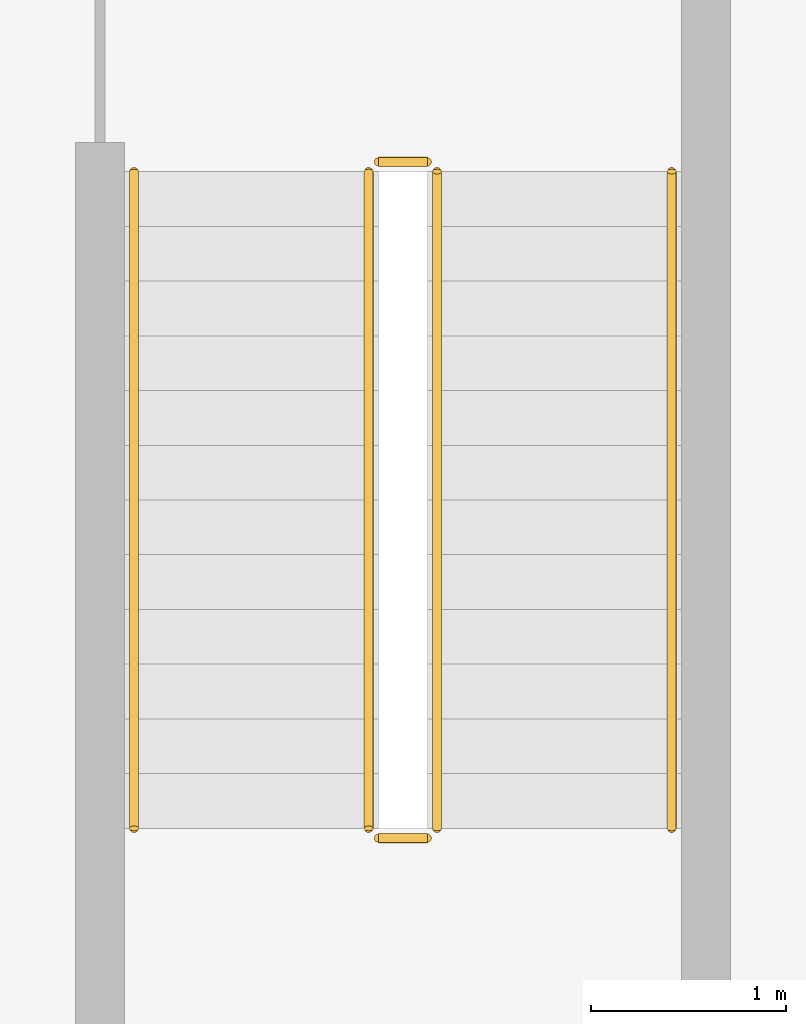
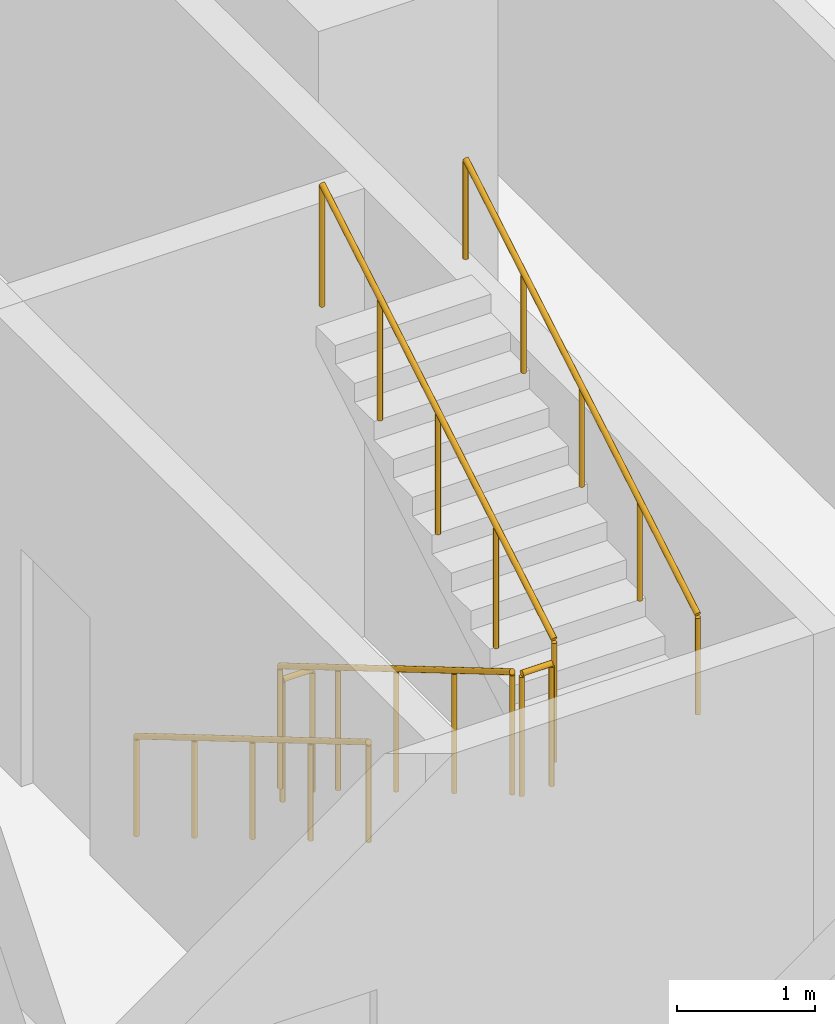
# One storey, part 24 of 29: 6 railings.
"""IFC4 building model written with IfcOpenShell, lengths in metres."""

import ifcopenshell
import ifcopenshell.guid

model = None  # the IFC model being written
_history = None  # IfcOwnerHistory: only IFC2X3 demands one
_inside = {}  # id of a spatial element -> (the spatial element, [elements in it])
_under = {}  # id of a project, library or spatial element -> (it, [spatial elements below it])
_declared = {}  # id of a project -> (the project, [libraries it declares])
_typed = {}  # id of a type object -> (the type object, [elements of that type])
_made_of = {}  # id of a material, layer set ... -> (it, [elements and type objects made of it])


def new_model(schema):
    """Start an empty IFC model of exactly this schema.

    Asked for "IFC4X3", IfcOpenShell would pick the latest addendum, in which some entities
    have other attributes; the version numbers below select the first issue.
    IFC2X3 requires an IfcOwnerHistory on every rooted entity: one is made here for all.
    """
    global model, _history
    if schema == "IFC4X3":
        model = ifcopenshell.file(schema_version=(4, 3, 0, 0))
    else:
        model = ifcopenshell.file(schema=schema)
    _inside.clear()
    _under.clear()
    _declared.clear()
    _typed.clear()
    _made_of.clear()
    _history = None
    if model.schema == "IFC2X3":
        org = make("IfcOrganization", Name="unknown")
        user = make(
            "IfcPersonAndOrganization",
            ThePerson=make("IfcPerson", FamilyName="unknown"),
            TheOrganization=org,
        )
        app = make(
            "IfcApplication",
            ApplicationDeveloper=org,
            Version="unknown",
            ApplicationFullName="unknown",
            ApplicationIdentifier="unknown",
        )
        _history = make(
            "IfcOwnerHistory",
            OwningUser=user,
            OwningApplication=app,
            ChangeAction="ADDED",
            CreationDate=0,
        )
    return model


def make(cls, **values):
    """One entity of the class cls with the attributes given. An attribute that is None is left unset."""
    return model.create_entity(
        cls, **{name: value for name, value in values.items() if value is not None}
    )


def rooted(cls, **values):
    """An entity with a GlobalId (a new one), such as an element, a storey or a relation."""
    return make(cls, GlobalId=ifcopenshell.guid.new(), OwnerHistory=_history, **values)


def si_unit(unit_type, name, prefix=None):
    """IfcSIUnit, for example si_unit("LENGTHUNIT", "METRE", prefix="MILLI")."""
    return make("IfcSIUnit", UnitType=unit_type, Prefix=prefix, Name=name)


def assignment(units):
    """IfcUnitAssignment: the units of a project."""
    return None if units is None else make("IfcUnitAssignment", Units=units)


def point(xyz):
    """IfcCartesianPoint."""
    return None if xyz is None else make("IfcCartesianPoint", Coordinates=xyz)


def direction(xyz):
    """IfcDirection."""
    return None if xyz is None else make("IfcDirection", DirectionRatios=xyz)


def frame(location, z_axis=None, x_axis=None):
    """IfcAxis2Placement3D, a coordinate frame: its origin and axes. An axis left out is left unset."""
    return make(
        "IfcAxis2Placement3D",
        Location=point(location),
        Axis=direction(z_axis),
        RefDirection=direction(x_axis),
    )


def frame_2d(location, x_axis=None):
    """IfcAxis2Placement2D, a coordinate frame in the plane: its origin and x axis."""
    return make(
        "IfcAxis2Placement2D", Location=point(location), RefDirection=direction(x_axis)
    )


def origin():
    """The frame at (0, 0, 0) with its axes left unset."""
    return frame((0.0, 0.0, 0.0))


def origin_2d():
    """The frame at (0, 0) in the plane with its x axis left unset."""
    return frame_2d((0.0, 0.0))


def place(relative_to, where):
    """IfcLocalPlacement: puts the frame where relative to a parent placement (None: the world)."""
    return make(
        "IfcLocalPlacement", PlacementRelTo=relative_to, RelativePlacement=where
    )


def context(
    kind, dimensions, precision=None, world=None, true_north=None, identifier=None
):
    """IfcGeometricRepresentationContext, for example the 3D "Model" context."""
    return make(
        "IfcGeometricRepresentationContext",
        ContextIdentifier=identifier,
        ContextType=kind,
        CoordinateSpaceDimension=dimensions,
        Precision=precision,
        WorldCoordinateSystem=world,
        TrueNorth=true_north,
    )


def subcontext(parent, identifier, kind, view, scale=None):
    """IfcGeometricRepresentationSubContext, for example "Body" below "Model"."""
    return make(
        "IfcGeometricRepresentationSubContext",
        ContextIdentifier=identifier,
        ContextType=kind,
        ParentContext=parent,
        TargetScale=scale,
        TargetView=view,
    )


def project(units=None, contexts=None):
    """IfcProject with its units and contexts."""
    return rooted(
        "IfcProject",
        Name="project",
        RepresentationContexts=contexts,
        UnitsInContext=assignment(units),
    )


def spatial(cls, under=None, at=None, **own):
    """A site, building, storey or space (cls), placed at a placement, below another one or the project."""
    s = rooted(cls, ObjectPlacement=at, **own)
    if under is not None:
        _under.setdefault(under.id(), (under, []))[1].append(s)
    return s


def profile(cls, at=None, kind="AREA", **sizes):
    """A parametric profile (cls). Its sizes go by their IFC names, for example OverallWidth=200.0."""
    return make(cls, ProfileType=kind, Position=at, **sizes)


def circle(**sizes):
    """IfcCircleProfileDef."""
    return profile("IfcCircleProfileDef", **sizes)


def extrude(swept, where, along, depth):
    """IfcExtrudedAreaSolid: the profile swept, set in the frame where, extruded along a direction by depth."""
    return make(
        "IfcExtrudedAreaSolid",
        SweptArea=swept,
        Position=where,
        ExtrudedDirection=direction(along),
        Depth=depth,
    )


def shape(context_of_items, identifier, shape_type, items):
    """IfcShapeRepresentation: the items that make up one representation, for example the "Body"."""
    return make(
        "IfcShapeRepresentation",
        ContextOfItems=context_of_items,
        RepresentationIdentifier=identifier,
        RepresentationType=shape_type,
        Items=items,
    )


def material(Name=None, Category=None):
    """IfcMaterial."""
    return make("IfcMaterial", Name=Name, Category=Category)


def made_of(thing, what):
    """Note that an element or type object is made of a material, layer set ...; save() writes the relation."""
    if what is not None:
        _made_of.setdefault(what.id(), (what, []))[1].append(thing)
    return thing


def type_object(cls, material=None, **own):
    """A type object (cls), such as IfcWallType, which elements share."""
    return made_of(rooted(cls, **own), material)


def element(
    cls,
    number,
    at=None,
    inside=None,
    cuts=None,
    type_object=None,
    material=None,
    context=None,
    identifier="Body",
    shape_type=None,
    held_by="IfcProductDefinitionShape",
    body=None,
    shapes=None,
    **own,
):
    """One element of the class cls, such as IfcWall. Its Tag is "e" and its number.

    at: its placement. inside: the storey or other place that contains it. cuts: it is an
    opening in that element (IfcRelVoidsElement). A single representation is given by context,
    identifier, shape_type and body (its items); several are given by shapes. held_by: the class
    of the entity that holds the representations. save() writes the other relations.
    """
    e = rooted(cls, Tag="e%d" % number, ObjectPlacement=at, **own)
    if body is not None:
        shapes = [shape(context, identifier, shape_type, body)]
    if shapes is not None:
        e.Representation = make(held_by, Representations=shapes)
    if inside is not None:
        _inside.setdefault(inside.id(), (inside, []))[1].append(e)
    if cuts is not None:
        rooted(
            "IfcRelVoidsElement", RelatingBuildingElement=cuts, RelatedOpeningElement=e
        )
    if type_object is not None:
        _typed.setdefault(type_object.id(), (type_object, []))[1].append(e)
    return made_of(e, material)


def aggregate(whole, parts):
    """IfcRelAggregates: a whole, such as a stair, and the parts it consists of."""
    return rooted("IfcRelAggregates", RelatingObject=whole, RelatedObjects=parts)


def save(model, path):
    """Write the relations noted so far, then the file.

    IfcRelAggregates (storeys below a building ...), IfcRelContainedInSpatialStructure (elements
    in a storey), IfcRelDefinesByType, IfcRelAssociatesMaterial and IfcRelDeclares: one each for
    every whole, place, type object, material and project.
    """
    for whole, parts in _under.values():
        aggregate(whole, parts)
    for where, things in _inside.values():
        rooted(
            "IfcRelContainedInSpatialStructure",
            RelatedElements=things,
            RelatingStructure=where,
        )
    for kind, things in _typed.values():
        rooted("IfcRelDefinesByType", RelatedObjects=things, RelatingType=kind)
    for what, things in _made_of.values():
        rooted("IfcRelAssociatesMaterial", RelatedObjects=things, RelatingMaterial=what)
    for by, libraries in _declared.values():
        rooted("IfcRelDeclares", RelatingContext=by, RelatedDefinitions=libraries)
    model.write(path)


model = new_model("IFC4")

# Units and contexts
model_context = context("Model", 3, precision=1e-05, world=origin(), true_north=direction((0.0, 1.0)))
body_context = subcontext(model_context, "Body", "Model", "MODEL_VIEW")
ifc_project = project(units=[si_unit("LENGTHUNIT", "METRE"), si_unit("AREAUNIT", "SQUARE_METRE"), si_unit("VOLUMEUNIT", "CUBIC_METRE"), si_unit("PLANEANGLEUNIT", "RADIAN"), si_unit("MASSUNIT", "GRAM", prefix="KILO")], contexts=[model_context])

# Site, building, storey
site_placement = place(None, origin())
site = spatial("IfcSite", under=ifc_project, at=site_placement, CompositionType="ELEMENT")
building_placement = place(site_placement, origin())
building = spatial("IfcBuilding", under=site, at=building_placement, Name="Mahtab Terrace Research Tower", CompositionType="ELEMENT")
storey_placement = place(building_placement, frame((0.0, 0.0, 46.0)))
storey = spatial("IfcBuildingStorey", under=building, at=storey_placement, Name="L10", CompositionType="ELEMENT", Elevation=46.0)

# Railings
ifc_material = material(Name="Stainless steel AISI 304", Category="steel")
railing_type_1 = type_object("IfcRailingType", Name="Stair guard 1100", PredefinedType="GUARDRAIL", material=ifc_material)
railing_1_placement = place(storey_placement, frame((2.949951171875, -4.175048828125, 0.165283203125)))
element("IfcRailing", 1, at=railing_1_placement, inside=storey, type_object=railing_type_1, Name="L10 ST2 stair guard 1", PredefinedType="GUARDRAIL", context=body_context, shape_type="SweptSolid", body=[
    extrude(circle(Radius=0.02392578125, at=origin_2d()), frame((0.0, 0.0, 1.076171875), z_axis=(0.0, -0.861011212953, 0.508585972249), x_axis=(1.0, 0.0, 0.0)), (0.0, 0.0, 1.0), 3.90234375),
    extrude(circle(Radius=0.02099609375, at=origin_2d()), origin(), (0.0, 0.0, 1.0), 1.052001953125),
    extrude(circle(Radius=0.02099609375, at=origin_2d()), frame((0.0, -0.83984375, 0.49609375)), (0.0, 0.0, 1.0), 1.052001953125),
    extrude(circle(Radius=0.02099609375, at=origin_2d()), frame((0.0, -1.679931640625, 0.9921875)), (0.0, 0.0, 1.0), 1.052001953125),
    extrude(circle(Radius=0.02099609375, at=origin_2d()), frame((0.0, -2.52001953125, 1.488525390625)), (0.0, 0.0, 1.0), 1.052001953125),
    extrude(circle(Radius=0.02099609375, at=origin_2d()), frame((0.0, -3.35986328125, 1.984619140625)), (0.0, 0.0, 1.0), 1.052001953125),
])
railing_2_placement = place(storey_placement, frame((3.0, -7.5849609375, 2.14990234375)))
element("IfcRailing", 2, at=railing_2_placement, inside=storey, type_object=railing_type_1, Name="L10 ST2 stair guard 2", PredefinedType="GUARDRAIL", context=body_context, shape_type="SweptSolid", body=[
    extrude(circle(Radius=0.02392578125, at=origin_2d()), frame((0.0, 0.0, 1.076171875), z_axis=(1.0, 0.0, 0.0), x_axis=(0.0, 1.0, 0.0)), (0.0, 0.0, 1.0), 0.25),
    extrude(circle(Radius=0.02099609375, at=origin_2d()), origin(), (0.0, 0.0, 1.0), 1.052001953125),
    extrude(circle(Radius=0.02099609375, at=origin_2d()), frame((0.25, 0.0, 0.0)), (0.0, 0.0, 1.0), 1.052001953125),
])
railing_3_placement = place(storey_placement, frame((3.300048828125, -7.534912109375, 2.3154296875)))
element("IfcRailing", 3, at=railing_3_placement, inside=storey, type_object=railing_type_1, Name="L10 ST2 stair guard 3", PredefinedType="GUARDRAIL", context=body_context, shape_type="SweptSolid", body=[
    extrude(circle(Radius=0.02392578125, at=origin_2d()), frame((0.0, 0.0, 1.076171875), z_axis=(0.0, 0.861011212953, 0.508585972249), x_axis=(-1.0, 0.0, 0.0)), (0.0, 0.0, 1.0), 3.90234375),
    extrude(circle(Radius=0.02099609375, at=origin_2d()), origin(), (0.0, 0.0, 1.0), 1.052001953125),
    extrude(circle(Radius=0.02099609375, at=origin_2d()), frame((0.0, 0.83984375, 0.49609375)), (0.0, 0.0, 1.0), 1.052001953125),
    extrude(circle(Radius=0.02099609375, at=origin_2d()), frame((0.0, 1.679931640625, 0.9921875)), (0.0, 0.0, 1.0), 1.052001953125),
    extrude(circle(Radius=0.02099609375, at=origin_2d()), frame((0.0, 2.52001953125, 1.488525390625)), (0.0, 0.0, 1.0), 1.052001953125),
    extrude(circle(Radius=0.02099609375, at=origin_2d()), frame((0.0, 3.35986328125, 1.984619140625)), (0.0, 0.0, 1.0), 1.052001953125),
])
railing_4_placement = place(storey_placement, frame((3.0, -4.125, 0.0)))
element("IfcRailing", 4, at=railing_4_placement, inside=storey, type_object=railing_type_1, Name="L10 ST2 stair guard 4", PredefinedType="GUARDRAIL", context=body_context, shape_type="SweptSolid", body=[
    extrude(circle(Radius=0.02392578125, at=origin_2d()), frame((0.0, 0.0, 1.076171875), z_axis=(1.0, 0.0, 0.0), x_axis=(0.0, 1.0, 0.0)), (0.0, 0.0, 1.0), 0.25),
    extrude(circle(Radius=0.02099609375, at=origin_2d()), origin(), (0.0, 0.0, 1.0), 1.052001953125),
    extrude(circle(Radius=0.02099609375, at=origin_2d()), frame((0.25, 0.0, 0.0)), (0.0, 0.0, 1.0), 1.052001953125),
])
railing_type_2 = type_object("IfcRailingType", Name="Stair handrail 900", PredefinedType="HANDRAIL", material=ifc_material)
railing_5_placement = place(storey_placement, frame((1.75, -4.175048828125, 0.165283203125)))
element("IfcRailing", 5, at=railing_5_placement, inside=storey, type_object=railing_type_2, Name="L10 ST2 stair handrail 1", PredefinedType="HANDRAIL", context=body_context, shape_type="SweptSolid", body=[
    extrude(circle(Radius=0.02392578125, at=origin_2d()), frame((0.0, 0.0, 0.8759765625), z_axis=(0.0, -0.861011212953, 0.508585972249), x_axis=(1.0, 0.0, 0.0)), (0.0, 0.0, 1.0), 3.90234375),
    extrude(circle(Radius=0.02099609375, at=origin_2d()), origin(), (0.0, 0.0, 1.0), 0.851806640625),
    extrude(circle(Radius=0.02099609375, at=origin_2d()), frame((0.0, -0.83984375, 0.49609375)), (0.0, 0.0, 1.0), 0.851806640625),
    extrude(circle(Radius=0.02099609375, at=origin_2d()), frame((0.0, -1.679931640625, 0.9921875)), (0.0, 0.0, 1.0), 0.851806640625),
    extrude(circle(Radius=0.02099609375, at=origin_2d()), frame((0.0, -2.52001953125, 1.488525390625)), (0.0, 0.0, 1.0), 0.851806640625),
    extrude(circle(Radius=0.02099609375, at=origin_2d()), frame((0.0, -3.35986328125, 1.984619140625)), (0.0, 0.0, 1.0), 0.851806640625),
])
railing_6_placement = place(storey_placement, frame((4.5, -7.534912109375, 2.3154296875)))
element("IfcRailing", 6, at=railing_6_placement, inside=storey, type_object=railing_type_2, Name="L10 ST2 stair handrail 2", PredefinedType="HANDRAIL", context=body_context, shape_type="SweptSolid", body=[
    extrude(circle(Radius=0.02392578125, at=origin_2d()), frame((0.0, 0.0, 0.8759765625), z_axis=(0.0, 0.861011212953, 0.508585972249), x_axis=(-1.0, 0.0, 0.0)), (0.0, 0.0, 1.0), 3.90234375),
    extrude(circle(Radius=0.02099609375, at=origin_2d()), origin(), (0.0, 0.0, 1.0), 0.851806640625),
    extrude(circle(Radius=0.02099609375, at=origin_2d()), frame((0.0, 0.83984375, 0.49609375)), (0.0, 0.0, 1.0), 0.851806640625),
    extrude(circle(Radius=0.02099609375, at=origin_2d()), frame((0.0, 1.679931640625, 0.9921875)), (0.0, 0.0, 1.0), 0.851806640625),
    extrude(circle(Radius=0.02099609375, at=origin_2d()), frame((0.0, 2.52001953125, 1.488525390625)), (0.0, 0.0, 1.0), 0.851806640625),
    extrude(circle(Radius=0.02099609375, at=origin_2d()), frame((0.0, 3.35986328125, 1.984619140625)), (0.0, 0.0, 1.0), 0.851806640625),
])

save(model, "model.ifc")
